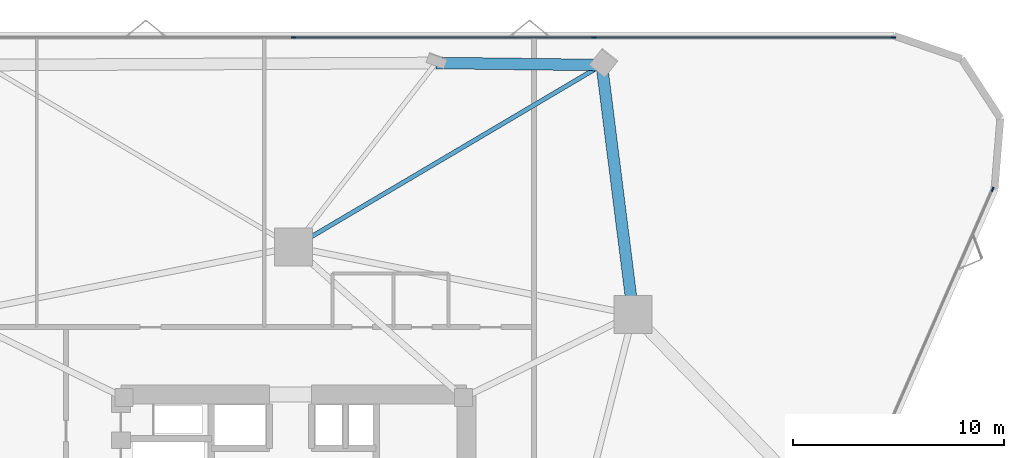
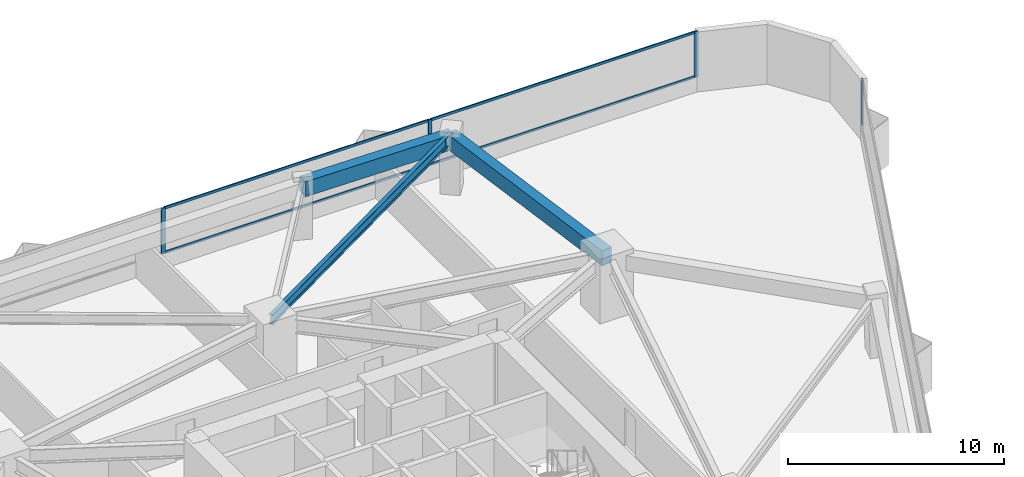
# One storey, part 8 of 14: 8 members, 3 beams, 2 elements without a shape of their own.
"""IFC4 building model written with IfcOpenShell, lengths in metres."""

from ifc_helpers import new_model, si_unit, direction, frame, origin, origin_2d, place, context, subcontext, project, spatial, rectangle, i_section, extrude, material, layer, layer_set, material_profile, profile_set, type_object, element, aggregate, save


model = new_model("IFC4")

# Units and contexts
model_context = context("Model", 3, precision=1e-05, world=origin(), true_north=direction((0.0, 1.0)))
body_context = subcontext(model_context, "Body", "Model", "MODEL_VIEW")
ifc_project = project(units=[si_unit("LENGTHUNIT", "METRE"), si_unit("AREAUNIT", "SQUARE_METRE"), si_unit("VOLUMEUNIT", "CUBIC_METRE"), si_unit("PLANEANGLEUNIT", "RADIAN"), si_unit("MASSUNIT", "GRAM", prefix="KILO")], contexts=[model_context])

# Site, building, storey
site_placement = place(None, origin())
site = spatial("IfcSite", under=ifc_project, at=site_placement, CompositionType="ELEMENT")
building_placement = place(site_placement, origin())
building = spatial("IfcBuilding", under=site, at=building_placement, Name="Talyreon Biosciences Tower", CompositionType="ELEMENT")
storey_placement = place(building_placement, frame((0.0, 0.0, 52.0)))
storey = spatial("IfcBuildingStorey", under=building, at=storey_placement, Name="L13", CompositionType="ELEMENT", Elevation=52.0)

# Curtain wall, members
ifc_material_1 = material(Name="Thermally broken aluminium and low-E glazing", Category="aluminium")
ifc_layer = layer(ifc_material_1, 0.205078125)
ifc_layer_set = layer_set([ifc_layer], Name="Thermally broken aluminium and low-E glazing")
curtain_wall_type = type_object("IfcCurtainWallType", Name="CurtainWall_SkyGardenLoggia", PredefinedType="NOTDEFINED", material=ifc_layer_set)
curtain_wall_1_placement = place(storey_placement, origin())
curtain_wall_1 = element("IfcCurtainWall", 1, at=curtain_wall_1_placement, inside=storey, type_object=curtain_wall_type, Name="L13 Unitised Curtain Wall FCW-L13-03", PredefinedType="NOTDEFINED")
ifc_material_2 = material(Name="Anodised thermally broken aluminium", Category="aluminium")
ifc_material_profile_1 = material_profile(ifc_material_2, rectangle(XDim=0.074951171875, YDim=0.2099609375, at=origin_2d()), Name="ALUM MULLION 75x210")
ifc_profile_set_1 = profile_set([ifc_material_profile_1], Name="Anodised thermally broken aluminium")
member_type_1 = type_object("IfcMemberType", Name="CWMullion_75x210", PredefinedType="MULLION", material=ifc_profile_set_1)
member_1_placement = place(storey_placement, frame((66.0, 91.74072265625, 0.81005859375), z_axis=(0.0, 0.0, 1.0), x_axis=(0.0, 1.0, 0.0)))
member_1 = element("IfcMember", 2, at=member_1_placement, type_object=member_type_1, Name="CW7 mullion 3", PredefinedType="MULLION", context=body_context, shape_type="SweptSolid", body=[
    extrude(rectangle(XDim=0.074951171875, YDim=0.2099609375, at=origin_2d()), origin(), (0.0, 0.0, 1.0), 2.56494140625),
])
member_2_placement = place(storey_placement, frame((80.240478515625, 91.74072265625, 0.81005859375), z_axis=(0.0, 0.0, 1.0), x_axis=(0.0, 1.0, 0.0)))
member_2 = element("IfcMember", 3, at=member_2_placement, type_object=member_type_1, Name="CW7 mullion 4", PredefinedType="MULLION", context=body_context, shape_type="SweptSolid", body=[
    extrude(rectangle(XDim=0.074951171875, YDim=0.2099609375, at=origin_2d()), origin(), (0.0, 0.0, 1.0), 2.56494140625),
])
member_3_placement = place(storey_placement, frame((94.443359375, 91.74072265625, 0.81005859375), z_axis=(0.0, 0.0, 1.0), x_axis=(0.0, 1.0, 0.0)))
member_3 = element("IfcMember", 4, at=member_3_placement, type_object=member_type_1, Name="CW7 mullion 5", PredefinedType="MULLION", context=body_context, shape_type="SweptSolid", body=[
    extrude(rectangle(XDim=0.074951171875, YDim=0.2099609375, at=origin_2d()), origin(), (0.0, 0.0, 1.0), 2.56494140625),
])

# Curtain wall, member
curtain_wall_2_placement = place(storey_placement, origin())
curtain_wall_2 = element("IfcCurtainWall", 5, at=curtain_wall_2_placement, inside=storey, type_object=curtain_wall_type, Name="L13 Unitised Curtain Wall FCW-L13-07", PredefinedType="NOTDEFINED")
member_4_placement = place(storey_placement, frame((99.15576171875, 84.53271484375, 0.81005859375), z_axis=(0.0, 0.0, 1.0), x_axis=(0.91603505667, -0.401098211105, 0.0)))
member_4 = element("IfcMember", 6, at=member_4_placement, type_object=member_type_1, Name="CW7 mullion 1", PredefinedType="MULLION", context=body_context, shape_type="SweptSolid", body=[
    extrude(rectangle(XDim=0.074951171875, YDim=0.2099609375, at=origin_2d()), origin(), (0.0, 0.0, 1.0), 2.56494140625),
])
aggregate(curtain_wall_2, [member_4])

# Member
ifc_material_profile_2 = material_profile(ifc_material_2, rectangle(XDim=0.06494140625, YDim=0.139892578125, at=origin_2d()), Name="ALUM TRANSOM 65x140")
ifc_profile_set_2 = profile_set([ifc_material_profile_2], Name="Anodised thermally broken aluminium")
member_type_2 = type_object("IfcMemberType", Name="CWTransom_65x140", PredefinedType="USERDEFINED", material=ifc_profile_set_2)
member_5_placement = place(storey_placement, frame((66.03759765625, 91.74072265625, 0.842529296875), z_axis=(1.0, 0.0, 0.0), x_axis=(0.0, 1.0, 0.0)))
member_5 = element("IfcMember", 7, at=member_5_placement, type_object=member_type_2, Name="CW7 transom 3.1", ObjectType="TRANSOM", PredefinedType="USERDEFINED", context=body_context, shape_type="SweptSolid", body=[
    extrude(rectangle(XDim=0.06494140625, YDim=0.139892578125, at=origin_2d()), origin(), (0.0, 0.0, 1.0), 14.165283203125),
])

member_6_placement = place(storey_placement, frame((66.03759765625, 91.74072265625, 3.342529296875), z_axis=(1.0, 0.0, 0.0), x_axis=(0.0, 1.0, 0.0)))
member_6 = element("IfcMember", 8, at=member_6_placement, type_object=member_type_2, Name="CW7 transom 3.2", ObjectType="TRANSOM", PredefinedType="USERDEFINED", context=body_context, shape_type="SweptSolid", body=[
    extrude(rectangle(XDim=0.06494140625, YDim=0.139892578125, at=origin_2d()), origin(), (0.0, 0.0, 1.0), 14.165283203125),
])

member_7_placement = place(storey_placement, frame((80.27783203125, 91.74072265625, 0.842529296875), z_axis=(1.0, 0.0, 0.0), x_axis=(0.0, 1.0, 0.0)))
member_7 = element("IfcMember", 9, at=member_7_placement, type_object=member_type_2, Name="CW7 transom 4.1", ObjectType="TRANSOM", PredefinedType="USERDEFINED", context=body_context, shape_type="SweptSolid", body=[
    extrude(rectangle(XDim=0.06494140625, YDim=0.139892578125, at=origin_2d()), origin(), (0.0, 0.0, 1.0), 14.1279296875),
])

member_8_placement = place(storey_placement, frame((80.27783203125, 91.74072265625, 3.342529296875), z_axis=(1.0, 0.0, 0.0), x_axis=(0.0, 1.0, 0.0)))
member_8 = element("IfcMember", 10, at=member_8_placement, type_object=member_type_2, Name="CW7 transom 4.2", ObjectType="TRANSOM", PredefinedType="USERDEFINED", context=body_context, shape_type="SweptSolid", body=[
    extrude(rectangle(XDim=0.06494140625, YDim=0.139892578125, at=origin_2d()), origin(), (0.0, 0.0, 1.0), 14.1279296875),
])

aggregate(curtain_wall_1, [member_1, member_2, member_3, member_5, member_6, member_7, member_8])

# Beams
ifc_material_3 = material(Name="Precast concrete C45/55", Category="concrete")
ifc_material_profile_3 = material_profile(ifc_material_3, rectangle(XDim=0.550048828125, YDim=0.85009765625, at=origin_2d()), Name="RCB 550x850")
ifc_profile_set_3 = profile_set([ifc_material_profile_3], Name="Precast concrete C45/55")
beam_type_1 = type_object("IfcBeamType", Name="ExpressedSpandrel_550x850", PredefinedType="SPANDREL", material=ifc_profile_set_3)
beam_1_placement = place(storey_placement, frame((82.102294921875, 78.5986328125, 2.949951171875), z_axis=(-0.124848869799, 0.992175770572, 0.0), x_axis=(-0.992175770572, -0.124848869799, 0.0)))
element("IfcBeam", 11, at=beam_1_placement, inside=storey, type_object=beam_type_1, Name="L13 Expressed Horizontal Concrete Spandrel 05", PredefinedType="SPANDREL", context=body_context, shape_type="SweptSolid", body=[
    extrude(rectangle(XDim=0.550048828125, YDim=0.85009765625, at=origin_2d()), origin(), (0.0, 0.0, 1.0), 11.920654296875),
])
beam_2_placement = place(storey_placement, frame((80.614013671875, 90.426025390625, 2.949951171875), z_axis=(-0.999919107081, 0.012719249004, 0.0), x_axis=(-0.012719249004, -0.999919107081, 0.0)))
element("IfcBeam", 12, at=beam_2_placement, inside=storey, type_object=beam_type_1, Name="L13 Expressed Horizontal Concrete Spandrel 06", PredefinedType="SPANDREL", context=body_context, shape_type="SweptSolid", body=[
    extrude(rectangle(XDim=0.550048828125, YDim=0.85009765625, at=origin_2d()), origin(), (0.0, 0.0, 1.0), 7.869873046875),
])
ifc_material_4 = material(Name="Steel SM355", Category="steel")
ifc_material_profile_4 = material_profile(ifc_material_4, i_section(OverallWidth=0.2099609375, OverallDepth=0.550048828125, WebThickness=0.010986328125, FlangeThickness=0.01708984375, FilletRadius=0.02392578125, at=origin_2d()), Name="IPE550")
ifc_profile_set_4 = profile_set([ifc_material_profile_4], Name="Steel SM355")
beam_type_2 = type_object("IfcBeamType", Name="SteelJoist_IPE550", PredefinedType="JOIST", material=ifc_profile_set_4)
beam_3_placement = place(storey_placement, frame((66.0, 81.788818359375, 3.10009765625), z_axis=(0.860883864136, 0.508801505963, 0.0), x_axis=(-0.508801505963, 0.860883864136, 0.0)))
element("IfcBeam", 13, at=beam_3_placement, inside=storey, type_object=beam_type_2, Name="L13 Radial Composite Floor Joist PC-N1", PredefinedType="JOIST", context=body_context, shape_type="SweptSolid", body=[
    extrude(i_section(OverallWidth=0.2099609375, OverallDepth=0.550048828125, WebThickness=0.010986328125, FlangeThickness=0.01708984375, FilletRadius=0.02392578125, at=origin_2d()), origin(), (0.0, 0.0, 1.0), 16.9755859375),
])

save(model, "model.ifc")
